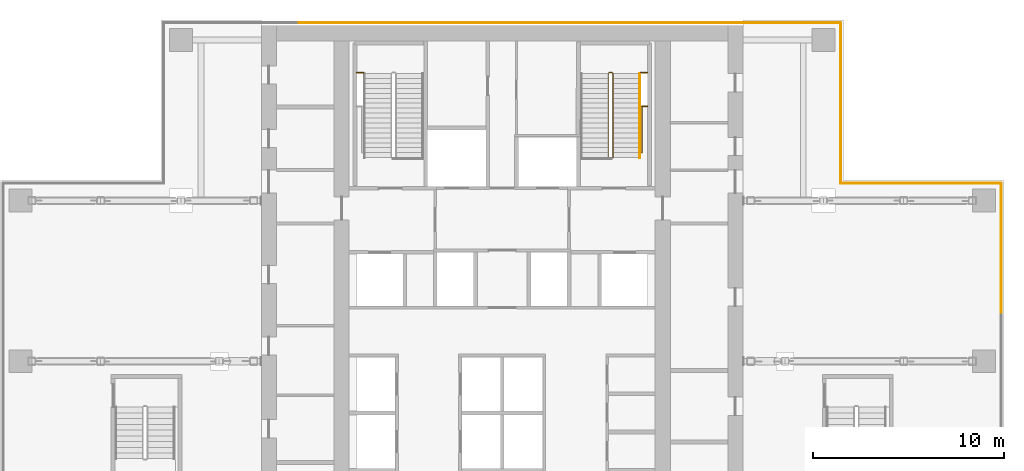
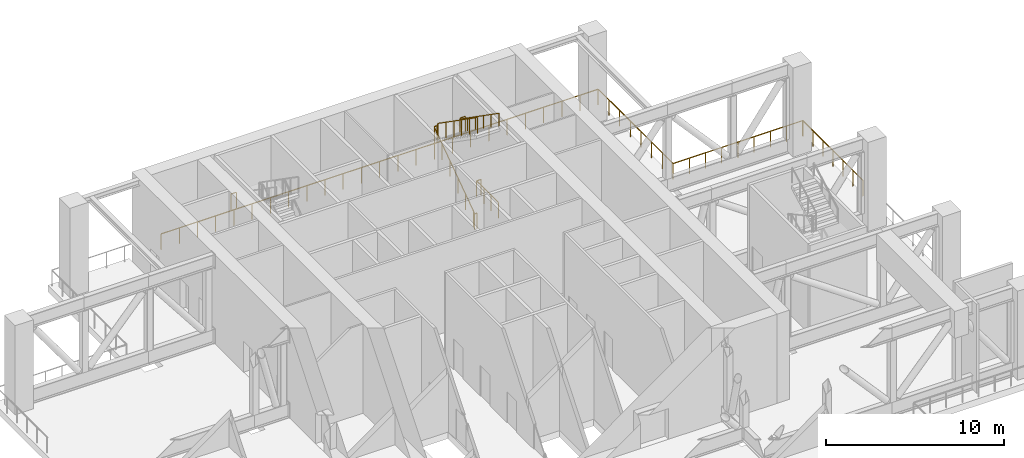
# One storey, part 23 of 23: 12 railings.
"""IFC4 building model written with IfcOpenShell, lengths in metres."""

from ifc_helpers import new_model, si_unit, direction, frame, origin, origin_2d, place, context, subcontext, project, spatial, rectangle, extrude, material, type_object, element, save


model = new_model("IFC4")

# Units and contexts
model_context = context("Model", 3, precision=1e-05, world=origin(), true_north=direction((0.0, 1.0)))
body_context = subcontext(model_context, "Body", "Model", "MODEL_VIEW")
ifc_project = project(units=[si_unit("LENGTHUNIT", "METRE"), si_unit("AREAUNIT", "SQUARE_METRE"), si_unit("VOLUMEUNIT", "CUBIC_METRE"), si_unit("PLANEANGLEUNIT", "RADIAN"), si_unit("MASSUNIT", "GRAM", prefix="KILO")], contexts=[model_context])

# Site, building, storey
site_placement = place(None, origin())
site = spatial("IfcSite", under=ifc_project, at=site_placement, CompositionType="ELEMENT")
building_placement = place(site_placement, origin())
building = spatial("IfcBuilding", under=site, at=building_placement, Name="Vermilion Ogive Tower", CompositionType="ELEMENT")
storey_placement = place(building_placement, frame((0.0, 0.0, 121.800048828125)))
storey = spatial("IfcBuildingStorey", under=building, at=storey_placement, Name="L31", CompositionType="ELEMENT", Elevation=121.800048828125)

# Railings
ifc_material_1 = material(Name="Stainless steel and glass", Category="steel")
railing_type_1 = type_object("IfcRailingType", Name="Edge guard", PredefinedType="GUARDRAIL", material=ifc_material_1)
for number, where, name in (
    (1, (-10.6201171875, 21.89990234375, 0.0), "Open edge guard L31 6.2"),
    (2, (-3.5400390625, 21.89990234375, 0.0), "Open edge guard L31 6.3"),
    (3, (3.5400390625, 21.89990234375, 0.0), "Open edge guard L31 6.4"),
):
    element("IfcRailing", number, at=place(storey_placement, frame(where)), inside=storey, type_object=railing_type_1, Name=name, PredefinedType="GUARDRAIL", context=body_context, shape_type="SweptSolid", body=[
        extrude(rectangle(XDim=0.048095703125, YDim=0.048095703125, at=origin_2d()), frame((0.0, 0.0, 1.076171875), z_axis=(1.0, 0.0, 0.0), x_axis=(0.0, 1.0, 0.0)), (0.0, 0.0, 1.0), 7.080078125),
        extrude(rectangle(XDim=0.0419921875, YDim=0.0419921875, at=origin_2d()), origin(), (0.0, 0.0, 1.0), 1.052001953125),
        extrude(rectangle(XDim=0.0419921875, YDim=0.0419921875, at=origin_2d()), frame((1.179931640625, 0.0, 0.0)), (0.0, 0.0, 1.0), 1.052001953125),
        extrude(rectangle(XDim=0.0419921875, YDim=0.0419921875, at=origin_2d()), frame((2.360107421875, 0.0, 0.0)), (0.0, 0.0, 1.0), 1.052001953125),
        extrude(rectangle(XDim=0.0419921875, YDim=0.0419921875, at=origin_2d()), frame((3.5400390625, 0.0, 0.0)), (0.0, 0.0, 1.0), 1.052001953125),
        extrude(rectangle(XDim=0.0419921875, YDim=0.0419921875, at=origin_2d()), frame((4.719970703125, 0.0, 0.0)), (0.0, 0.0, 1.0), 1.052001953125),
        extrude(rectangle(XDim=0.0419921875, YDim=0.0419921875, at=origin_2d()), frame((5.900146484375, 0.0, 0.0)), (0.0, 0.0, 1.0), 1.052001953125),
        extrude(rectangle(XDim=0.0419921875, YDim=0.0419921875, at=origin_2d()), frame((7.080078125, 0.0, 0.0)), (0.0, 0.0, 1.0), 1.052001953125),
    ])
railing_1_placement = place(storey_placement, frame((10.6201171875, 21.89990234375, 0.0)))
element("IfcRailing", 4, at=railing_1_placement, inside=storey, type_object=railing_type_1, Name="Open edge guard L31 6.5", PredefinedType="GUARDRAIL", context=body_context, shape_type="SweptSolid", body=[
    extrude(rectangle(XDim=0.048095703125, YDim=0.048095703125, at=origin_2d()), frame((0.0, 0.0, 1.076171875), z_axis=(1.0, 0.0, 0.0), x_axis=(0.0, 1.0, 0.0)), (0.0, 0.0, 1.0), 7.079833984375),
    extrude(rectangle(XDim=0.0419921875, YDim=0.0419921875, at=origin_2d()), origin(), (0.0, 0.0, 1.0), 1.052001953125),
    extrude(rectangle(XDim=0.0419921875, YDim=0.0419921875, at=origin_2d()), frame((1.179931640625, 0.0, 0.0)), (0.0, 0.0, 1.0), 1.052001953125),
    extrude(rectangle(XDim=0.0419921875, YDim=0.0419921875, at=origin_2d()), frame((2.35986328125, 0.0, 0.0)), (0.0, 0.0, 1.0), 1.052001953125),
    extrude(rectangle(XDim=0.0419921875, YDim=0.0419921875, at=origin_2d()), frame((3.5400390625, 0.0, 0.0)), (0.0, 0.0, 1.0), 1.052001953125),
    extrude(rectangle(XDim=0.0419921875, YDim=0.0419921875, at=origin_2d()), frame((4.719970703125, 0.0, 0.0)), (0.0, 0.0, 1.0), 1.052001953125),
    extrude(rectangle(XDim=0.0419921875, YDim=0.0419921875, at=origin_2d()), frame((5.89990234375, 0.0, 0.0)), (0.0, 0.0, 1.0), 1.052001953125),
    extrude(rectangle(XDim=0.0419921875, YDim=0.0419921875, at=origin_2d()), frame((7.079833984375, 0.0, 0.0)), (0.0, 0.0, 1.0), 1.052001953125),
])
railing_2_placement = place(storey_placement, frame((17.699951171875, 21.89990234375, 0.0)))
element("IfcRailing", 5, at=railing_2_placement, inside=storey, type_object=railing_type_1, Name="Open edge guard L31 7.1", PredefinedType="GUARDRAIL", context=body_context, shape_type="SweptSolid", body=[
    extrude(rectangle(XDim=0.048095703125, YDim=0.048095703125, at=origin_2d()), frame((0.0, 0.0, 1.076171875), z_axis=(0.0, -1.0, 0.0), x_axis=(1.0, 0.0, 0.0)), (0.0, 0.0, 1.0), 8.39990234375),
    extrude(rectangle(XDim=0.0419921875, YDim=0.0419921875, at=origin_2d()), origin(), (0.0, 0.0, 1.0), 1.052001953125),
    extrude(rectangle(XDim=0.0419921875, YDim=0.0419921875, at=origin_2d()), frame((0.0, -1.199951171875, 0.0)), (0.0, 0.0, 1.0), 1.052001953125),
    extrude(rectangle(XDim=0.0419921875, YDim=0.0419921875, at=origin_2d()), frame((0.0, -2.39990234375, 0.0)), (0.0, 0.0, 1.0), 1.052001953125),
    extrude(rectangle(XDim=0.0419921875, YDim=0.0419921875, at=origin_2d()), frame((0.0, -3.599853515625, 0.0)), (0.0, 0.0, 1.0), 1.052001953125),
    extrude(rectangle(XDim=0.0419921875, YDim=0.0419921875, at=origin_2d()), frame((0.0, -4.800048828125, 0.0)), (0.0, 0.0, 1.0), 1.052001953125),
    extrude(rectangle(XDim=0.0419921875, YDim=0.0419921875, at=origin_2d()), frame((0.0, -6.0, 0.0)), (0.0, 0.0, 1.0), 1.052001953125),
    extrude(rectangle(XDim=0.0419921875, YDim=0.0419921875, at=origin_2d()), frame((0.0, -7.199951171875, 0.0)), (0.0, 0.0, 1.0), 1.052001953125),
    extrude(rectangle(XDim=0.0419921875, YDim=0.0419921875, at=origin_2d()), frame((0.0, -8.39990234375, 0.0)), (0.0, 0.0, 1.0), 1.052001953125),
])
railing_3_placement = place(storey_placement, frame((17.699951171875, 13.5, 0.0)))
element("IfcRailing", 6, at=railing_3_placement, inside=storey, type_object=railing_type_1, Name="Open edge guard L31 8.1", PredefinedType="GUARDRAIL", context=body_context, shape_type="SweptSolid", body=[
    extrude(rectangle(XDim=0.048095703125, YDim=0.048095703125, at=origin_2d()), frame((0.0, 0.0, 1.076171875), z_axis=(1.0, 0.0, 0.0), x_axis=(0.0, 1.0, 0.0)), (0.0, 0.0, 1.0), 8.400146484375),
    extrude(rectangle(XDim=0.0419921875, YDim=0.0419921875, at=origin_2d()), origin(), (0.0, 0.0, 1.0), 1.052001953125),
    extrude(rectangle(XDim=0.0419921875, YDim=0.0419921875, at=origin_2d()), frame((1.050048828125, 0.0, 0.0)), (0.0, 0.0, 1.0), 1.052001953125),
    extrude(rectangle(XDim=0.0419921875, YDim=0.0419921875, at=origin_2d()), frame((2.10009765625, 0.0, 0.0)), (0.0, 0.0, 1.0), 1.052001953125),
    extrude(rectangle(XDim=0.0419921875, YDim=0.0419921875, at=origin_2d()), frame((3.150146484375, 0.0, 0.0)), (0.0, 0.0, 1.0), 1.052001953125),
    extrude(rectangle(XDim=0.0419921875, YDim=0.0419921875, at=origin_2d()), frame((4.2001953125, 0.0, 0.0)), (0.0, 0.0, 1.0), 1.052001953125),
    extrude(rectangle(XDim=0.0419921875, YDim=0.0419921875, at=origin_2d()), frame((5.25, 0.0, 0.0)), (0.0, 0.0, 1.0), 1.052001953125),
    extrude(rectangle(XDim=0.0419921875, YDim=0.0419921875, at=origin_2d()), frame((6.300048828125, 0.0, 0.0)), (0.0, 0.0, 1.0), 1.052001953125),
    extrude(rectangle(XDim=0.0419921875, YDim=0.0419921875, at=origin_2d()), frame((7.35009765625, 0.0, 0.0)), (0.0, 0.0, 1.0), 1.052001953125),
    extrude(rectangle(XDim=0.0419921875, YDim=0.0419921875, at=origin_2d()), frame((8.400146484375, 0.0, 0.0)), (0.0, 0.0, 1.0), 1.052001953125),
])
railing_4_placement = place(storey_placement, frame((26.10009765625, 13.5, 0.0)))
element("IfcRailing", 7, at=railing_4_placement, inside=storey, type_object=railing_type_1, Name="Open edge guard L31 9.1", PredefinedType="GUARDRAIL", context=body_context, shape_type="SweptSolid", body=[
    extrude(rectangle(XDim=0.048095703125, YDim=0.048095703125, at=origin_2d()), frame((0.0, 0.0, 1.076171875), z_axis=(0.0, -1.0, 0.0), x_axis=(1.0, 0.0, 0.0)), (0.0, 0.0, 1.0), 6.75),
    extrude(rectangle(XDim=0.0419921875, YDim=0.0419921875, at=origin_2d()), origin(), (0.0, 0.0, 1.0), 1.052001953125),
    extrude(rectangle(XDim=0.0419921875, YDim=0.0419921875, at=origin_2d()), frame((0.0, -1.125, 0.0)), (0.0, 0.0, 1.0), 1.052001953125),
    extrude(rectangle(XDim=0.0419921875, YDim=0.0419921875, at=origin_2d()), frame((0.0, -2.25, 0.0)), (0.0, 0.0, 1.0), 1.052001953125),
    extrude(rectangle(XDim=0.0419921875, YDim=0.0419921875, at=origin_2d()), frame((0.0, -3.375, 0.0)), (0.0, 0.0, 1.0), 1.052001953125),
    extrude(rectangle(XDim=0.0419921875, YDim=0.0419921875, at=origin_2d()), frame((0.0, -4.5, 0.0)), (0.0, 0.0, 1.0), 1.052001953125),
    extrude(rectangle(XDim=0.0419921875, YDim=0.0419921875, at=origin_2d()), frame((0.0, -5.625, 0.0)), (0.0, 0.0, 1.0), 1.052001953125),
    extrude(rectangle(XDim=0.0419921875, YDim=0.0419921875, at=origin_2d()), frame((0.0, -6.75, 0.0)), (0.0, 0.0, 1.0), 1.052001953125),
])
ifc_material_2 = material(Name="Steel S355 painted", Category="steel")
railing_type_2 = type_object("IfcRailingType", Name="Stair guard 1100", PredefinedType="GUARDRAIL", material=ifc_material_2)
railing_5_placement = place(storey_placement, frame((5.75, 14.800048828125, 0.0)))
element("IfcRailing", 8, at=railing_5_placement, inside=storey, type_object=railing_type_2, Name="L31 ST2 stair guard 4", PredefinedType="GUARDRAIL", context=body_context, shape_type="SweptSolid", body=[
    extrude(rectangle(XDim=0.048095703125, YDim=0.048095703125, at=origin_2d()), frame((0.0, 0.0, 1.076171875), z_axis=(-1.0, 0.0, 0.0), x_axis=(0.0, -1.0, 0.0)), (0.0, 0.0, 1.0), 0.14990234375),
    extrude(rectangle(XDim=0.048095703125, YDim=0.048095703125, at=origin_2d()), frame((-0.14990234375, 0.0, 1.076171875), z_axis=(-0.258240678652, 0.258240678652, 0.930926153773), x_axis=(-0.707106781187, -0.707106781187, 0.0)), (0.0, 0.0, 1.0), 0.19384765625),
    extrude(rectangle(XDim=0.048095703125, YDim=0.048095703125, at=origin_2d()), frame((-0.199951171875, 0.050048828125, 1.25634765625), z_axis=(0.0, 0.820137383327, 0.572166647463), x_axis=(-1.0, 0.0, 0.0)), (0.0, 0.0, 1.0), 5.36474609375),
    extrude(rectangle(XDim=0.048095703125, YDim=0.048095703125, at=origin_2d()), frame((-0.199951171875, 4.449951171875, 4.326171875), z_axis=(0.707106781187, 0.707106781187, 0.0), x_axis=(-0.707106781187, 0.707106781187, 0.0)), (0.0, 0.0, 1.0), 0.07080078125),
    extrude(rectangle(XDim=0.048095703125, YDim=0.048095703125, at=origin_2d()), frame((-0.14990234375, 4.5, 4.326171875), z_axis=(1.0, 0.0, 0.0), x_axis=(0.0, 1.0, 0.0)), (0.0, 0.0, 1.0), 0.14990234375),
    extrude(rectangle(XDim=0.048095703125, YDim=0.048095703125, at=origin_2d()), frame((0.0, 4.5, 4.326171875), z_axis=(0.258240678652, -0.258240678652, 0.930926153773), x_axis=(0.707106781187, 0.707106781187, 0.0)), (0.0, 0.0, 1.0), 0.19384765625),
    extrude(rectangle(XDim=0.048095703125, YDim=0.048095703125, at=origin_2d()), frame((0.050048828125, 4.449951171875, 4.50634765625), z_axis=(0.0, -0.820137383327, 0.572166647463), x_axis=(1.0, 0.0, 0.0)), (0.0, 0.0, 1.0), 5.36474609375),
    extrude(rectangle(XDim=0.0419921875, YDim=0.0419921875, at=origin_2d()), origin(), (0.0, 0.0, 1.0), 1.052001953125),
    extrude(rectangle(XDim=0.0419921875, YDim=0.0419921875, at=origin_2d()), frame((-0.14990234375, 0.0, 0.0)), (0.0, 0.0, 1.0), 1.052001953125),
    extrude(rectangle(XDim=0.0419921875, YDim=0.0419921875, at=origin_2d()), frame((-0.199951171875, 0.050048828125, 0.180419921875)), (0.0, 0.0, 1.0), 1.052001953125),
    extrude(rectangle(XDim=0.0419921875, YDim=0.0419921875, at=origin_2d()), frame((-0.199951171875, 0.929931640625, 0.79443359375)), (0.0, 0.0, 1.0), 1.052001953125),
    extrude(rectangle(XDim=0.0419921875, YDim=0.0419921875, at=origin_2d()), frame((-0.199951171875, 1.81005859375, 1.408203125)), (0.0, 0.0, 1.0), 1.052001953125),
    extrude(rectangle(XDim=0.0419921875, YDim=0.0419921875, at=origin_2d()), frame((-0.199951171875, 2.68994140625, 2.022216796875)), (0.0, 0.0, 1.0), 1.052001953125),
    extrude(rectangle(XDim=0.0419921875, YDim=0.0419921875, at=origin_2d()), frame((-0.199951171875, 3.570068359375, 2.635986328125)), (0.0, 0.0, 1.0), 1.052001953125),
    extrude(rectangle(XDim=0.0419921875, YDim=0.0419921875, at=origin_2d()), frame((-0.199951171875, 4.449951171875, 3.25)), (0.0, 0.0, 1.0), 1.052001953125),
    extrude(rectangle(XDim=0.0419921875, YDim=0.0419921875, at=origin_2d()), frame((-0.14990234375, 4.5, 3.25)), (0.0, 0.0, 1.0), 1.052001953125),
    extrude(rectangle(XDim=0.0419921875, YDim=0.0419921875, at=origin_2d()), frame((0.0, 4.5, 3.25)), (0.0, 0.0, 1.0), 1.052001953125),
    extrude(rectangle(XDim=0.0419921875, YDim=0.0419921875, at=origin_2d()), frame((0.050048828125, 4.449951171875, 3.430419921875)), (0.0, 0.0, 1.0), 1.052001953125),
    extrude(rectangle(XDim=0.0419921875, YDim=0.0419921875, at=origin_2d()), frame((0.050048828125, 3.570068359375, 4.04443359375)), (0.0, 0.0, 1.0), 1.052001953125),
    extrude(rectangle(XDim=0.0419921875, YDim=0.0419921875, at=origin_2d()), frame((0.050048828125, 2.68994140625, 4.658203125)), (0.0, 0.0, 1.0), 1.052001953125),
    extrude(rectangle(XDim=0.0419921875, YDim=0.0419921875, at=origin_2d()), frame((0.050048828125, 1.81005859375, 5.272216796875)), (0.0, 0.0, 1.0), 1.052001953125),
    extrude(rectangle(XDim=0.0419921875, YDim=0.0419921875, at=origin_2d()), frame((0.050048828125, 0.929931640625, 5.885986328125)), (0.0, 0.0, 1.0), 1.052001953125),
    extrude(rectangle(XDim=0.0419921875, YDim=0.0419921875, at=origin_2d()), frame((0.050048828125, 0.050048828125, 6.5)), (0.0, 0.0, 1.0), 1.052001953125),
])
for number, where, name in (
    (9, (-7.60009765625, 19.300048828125, 3.25), "L31 landing guard"),
    (10, (7.25, 19.300048828125, 3.25), "L31 landing guard"),
):
    element("IfcRailing", number, at=place(storey_placement, frame(where)), inside=storey, type_object=railing_type_2, Name=name, PredefinedType="GUARDRAIL", context=body_context, shape_type="SweptSolid", body=[
        extrude(rectangle(XDim=0.048095703125, YDim=0.048095703125, at=origin_2d()), frame((0.0, 0.0, 1.076171875), z_axis=(1.0, 0.0, 0.0), x_axis=(0.0, 1.0, 0.0)), (0.0, 0.0, 1.0), 0.35009765625),
        extrude(rectangle(XDim=0.0419921875, YDim=0.0419921875, at=origin_2d()), origin(), (0.0, 0.0, 1.0), 1.052001953125),
        extrude(rectangle(XDim=0.0419921875, YDim=0.0419921875, at=origin_2d()), frame((0.35009765625, 0.0, 0.0)), (0.0, 0.0, 1.0), 1.052001953125),
    ])
railing_6_placement = place(storey_placement, frame((7.599609375, 17.54296875, 0.0)))
element("IfcRailing", 11, at=railing_6_placement, inside=storey, type_object=railing_type_2, Name="L31 stair opening guard", PredefinedType="GUARDRAIL", context=body_context, shape_type="SweptSolid", body=[
    extrude(rectangle(XDim=0.048095703125, YDim=0.048095703125, at=origin_2d()), frame((0.0, 0.0, 1.076171875), z_axis=(-1.0, 0.0, 0.0), x_axis=(0.0, -1.0, 0.0)), (0.0, 0.0, 1.0), 0.2900390625),
    extrude(rectangle(XDim=0.048095703125, YDim=0.048095703125, at=origin_2d()), frame((-0.2900390625, 0.0, 1.076171875), z_axis=(0.0, -1.0, 0.0), x_axis=(1.0, 0.0, 0.0)), (0.0, 0.0, 1.0), 2.42431640625),
    extrude(rectangle(XDim=0.0419921875, YDim=0.0419921875, at=origin_2d()), origin(), (0.0, 0.0, 1.0), 1.052001953125),
    extrude(rectangle(XDim=0.0419921875, YDim=0.0419921875, at=origin_2d()), frame((-0.2900390625, 0.0, 0.0)), (0.0, 0.0, 1.0), 1.052001953125),
    extrude(rectangle(XDim=0.0419921875, YDim=0.0419921875, at=origin_2d()), frame((-0.2900390625, -0.80810546875, 0.0)), (0.0, 0.0, 1.0), 1.052001953125),
    extrude(rectangle(XDim=0.0419921875, YDim=0.0419921875, at=origin_2d()), frame((-0.2900390625, -1.6162109375, 0.0)), (0.0, 0.0, 1.0), 1.052001953125),
    extrude(rectangle(XDim=0.0419921875, YDim=0.0419921875, at=origin_2d()), frame((-0.2900390625, -2.42431640625, 0.0)), (0.0, 0.0, 1.0), 1.052001953125),
])
ifc_material_3 = material(Name="Stainless steel", Category="steel")
railing_type_3 = type_object("IfcRailingType", Name="Stair handrail 900", PredefinedType="HANDRAIL", material=ifc_material_3)
railing_7_placement = place(storey_placement, frame((7.199951171875, 19.25, 3.430419921875)))
element("IfcRailing", 12, at=railing_7_placement, inside=storey, type_object=railing_type_3, Name="L31 ST2 stair handrail 2", PredefinedType="HANDRAIL", context=body_context, shape_type="SweptSolid", body=[
    extrude(rectangle(XDim=0.048095703125, YDim=0.048095703125, at=origin_2d()), frame((0.0, 0.0, 0.8759765625), z_axis=(0.0, -0.820137383327, 0.572166647463), x_axis=(1.0, 0.0, 0.0)), (0.0, 0.0, 1.0), 5.36474609375),
    extrude(rectangle(XDim=0.0419921875, YDim=0.0419921875, at=origin_2d()), origin(), (0.0, 0.0, 1.0), 0.851806640625),
    extrude(rectangle(XDim=0.0419921875, YDim=0.0419921875, at=origin_2d()), frame((0.0, -0.8798828125, 0.614013671875)), (0.0, 0.0, 1.0), 0.851806640625),
    extrude(rectangle(XDim=0.0419921875, YDim=0.0419921875, at=origin_2d()), frame((0.0, -1.760009765625, 1.227783203125)), (0.0, 0.0, 1.0), 0.851806640625),
    extrude(rectangle(XDim=0.0419921875, YDim=0.0419921875, at=origin_2d()), frame((0.0, -2.639892578125, 1.841796875)), (0.0, 0.0, 1.0), 0.851806640625),
    extrude(rectangle(XDim=0.0419921875, YDim=0.0419921875, at=origin_2d()), frame((0.0, -3.52001953125, 2.45556640625)), (0.0, 0.0, 1.0), 0.851806640625),
    extrude(rectangle(XDim=0.0419921875, YDim=0.0419921875, at=origin_2d()), frame((0.0, -4.39990234375, 3.069580078125)), (0.0, 0.0, 1.0), 0.851806640625),
])

save(model, "model.ifc")
